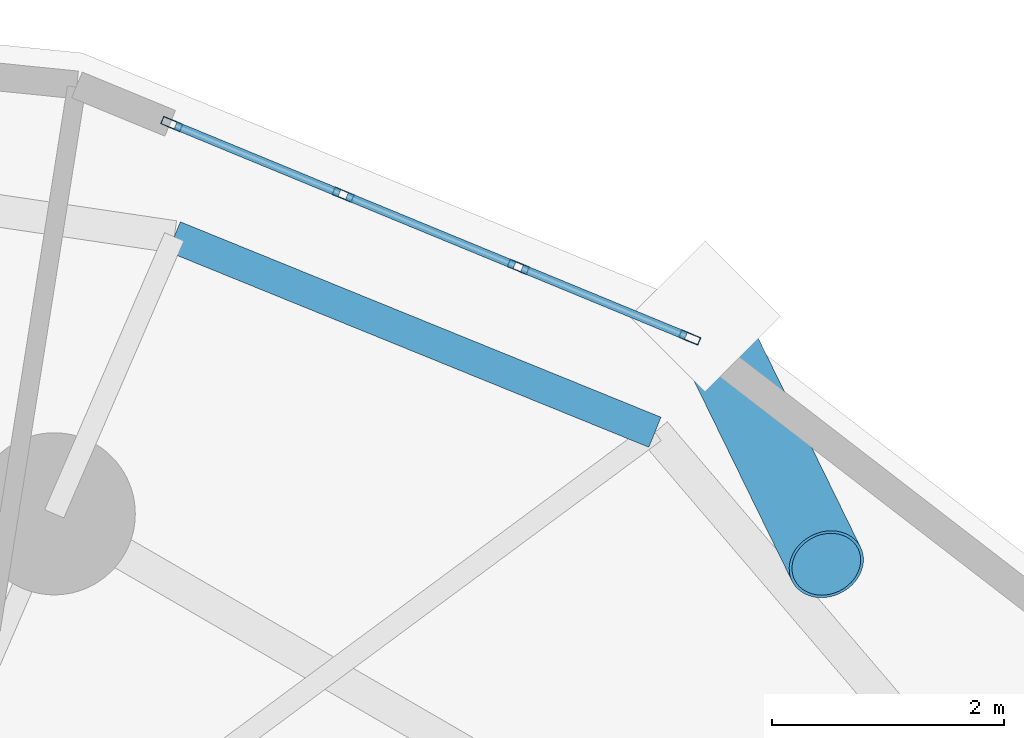
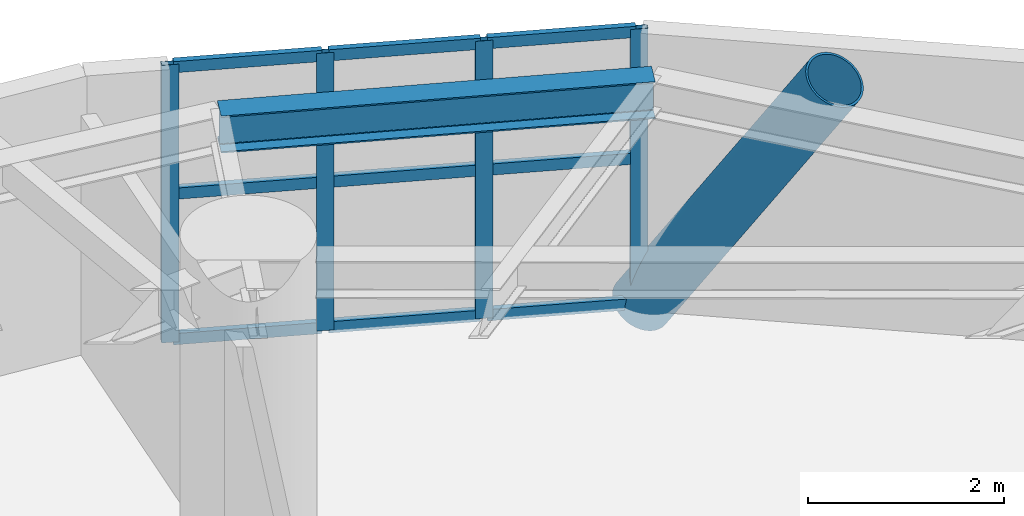
# One storey, part 10 of 20: 14 members, 1 beam, 1 element without a shape of its own.
"""IFC4 building model written with IfcOpenShell, lengths in metres."""

import ifcopenshell
import ifcopenshell.guid

model = None  # the IFC model being written
_history = None  # IfcOwnerHistory: only IFC2X3 demands one
_inside = {}  # id of a spatial element -> (the spatial element, [elements in it])
_under = {}  # id of a project, library or spatial element -> (it, [spatial elements below it])
_declared = {}  # id of a project -> (the project, [libraries it declares])
_typed = {}  # id of a type object -> (the type object, [elements of that type])
_made_of = {}  # id of a material, layer set ... -> (it, [elements and type objects made of it])


def new_model(schema):
    """Start an empty IFC model of exactly this schema.

    Asked for "IFC4X3", IfcOpenShell would pick the latest addendum, in which some entities
    have other attributes; the version numbers below select the first issue.
    IFC2X3 requires an IfcOwnerHistory on every rooted entity: one is made here for all.
    """
    global model, _history
    if schema == "IFC4X3":
        model = ifcopenshell.file(schema_version=(4, 3, 0, 0))
    else:
        model = ifcopenshell.file(schema=schema)
    _inside.clear()
    _under.clear()
    _declared.clear()
    _typed.clear()
    _made_of.clear()
    _history = None
    if model.schema == "IFC2X3":
        org = make("IfcOrganization", Name="unknown")
        user = make(
            "IfcPersonAndOrganization",
            ThePerson=make("IfcPerson", FamilyName="unknown"),
            TheOrganization=org,
        )
        app = make(
            "IfcApplication",
            ApplicationDeveloper=org,
            Version="unknown",
            ApplicationFullName="unknown",
            ApplicationIdentifier="unknown",
        )
        _history = make(
            "IfcOwnerHistory",
            OwningUser=user,
            OwningApplication=app,
            ChangeAction="ADDED",
            CreationDate=0,
        )
    return model


def make(cls, **values):
    """One entity of the class cls with the attributes given. An attribute that is None is left unset."""
    return model.create_entity(
        cls, **{name: value for name, value in values.items() if value is not None}
    )


def rooted(cls, **values):
    """An entity with a GlobalId (a new one), such as an element, a storey or a relation."""
    return make(cls, GlobalId=ifcopenshell.guid.new(), OwnerHistory=_history, **values)


def si_unit(unit_type, name, prefix=None):
    """IfcSIUnit, for example si_unit("LENGTHUNIT", "METRE", prefix="MILLI")."""
    return make("IfcSIUnit", UnitType=unit_type, Prefix=prefix, Name=name)


def assignment(units):
    """IfcUnitAssignment: the units of a project."""
    return None if units is None else make("IfcUnitAssignment", Units=units)


def point(xyz):
    """IfcCartesianPoint."""
    return None if xyz is None else make("IfcCartesianPoint", Coordinates=xyz)


def direction(xyz):
    """IfcDirection."""
    return None if xyz is None else make("IfcDirection", DirectionRatios=xyz)


def frame(location, z_axis=None, x_axis=None):
    """IfcAxis2Placement3D, a coordinate frame: its origin and axes. An axis left out is left unset."""
    return make(
        "IfcAxis2Placement3D",
        Location=point(location),
        Axis=direction(z_axis),
        RefDirection=direction(x_axis),
    )


def frame_2d(location, x_axis=None):
    """IfcAxis2Placement2D, a coordinate frame in the plane: its origin and x axis."""
    return make(
        "IfcAxis2Placement2D", Location=point(location), RefDirection=direction(x_axis)
    )


def origin():
    """The frame at (0, 0, 0) with its axes left unset."""
    return frame((0.0, 0.0, 0.0))


def origin_2d():
    """The frame at (0, 0) in the plane with its x axis left unset."""
    return frame_2d((0.0, 0.0))


def place(relative_to, where):
    """IfcLocalPlacement: puts the frame where relative to a parent placement (None: the world)."""
    return make(
        "IfcLocalPlacement", PlacementRelTo=relative_to, RelativePlacement=where
    )


def context(
    kind, dimensions, precision=None, world=None, true_north=None, identifier=None
):
    """IfcGeometricRepresentationContext, for example the 3D "Model" context."""
    return make(
        "IfcGeometricRepresentationContext",
        ContextIdentifier=identifier,
        ContextType=kind,
        CoordinateSpaceDimension=dimensions,
        Precision=precision,
        WorldCoordinateSystem=world,
        TrueNorth=true_north,
    )


def subcontext(parent, identifier, kind, view, scale=None):
    """IfcGeometricRepresentationSubContext, for example "Body" below "Model"."""
    return make(
        "IfcGeometricRepresentationSubContext",
        ContextIdentifier=identifier,
        ContextType=kind,
        ParentContext=parent,
        TargetScale=scale,
        TargetView=view,
    )


def project(units=None, contexts=None):
    """IfcProject with its units and contexts."""
    return rooted(
        "IfcProject",
        Name="project",
        RepresentationContexts=contexts,
        UnitsInContext=assignment(units),
    )


def spatial(cls, under=None, at=None, **own):
    """A site, building, storey or space (cls), placed at a placement, below another one or the project."""
    s = rooted(cls, ObjectPlacement=at, **own)
    if under is not None:
        _under.setdefault(under.id(), (under, []))[1].append(s)
    return s


def profile(cls, at=None, kind="AREA", **sizes):
    """A parametric profile (cls). Its sizes go by their IFC names, for example OverallWidth=200.0."""
    return make(cls, ProfileType=kind, Position=at, **sizes)


def hollow_rectangle(**sizes):
    """IfcRectangleHollowProfileDef."""
    return profile("IfcRectangleHollowProfileDef", **sizes)


def hollow_circle(**sizes):
    """IfcCircleHollowProfileDef."""
    return profile("IfcCircleHollowProfileDef", **sizes)


def i_section(**sizes):
    """IfcIShapeProfileDef."""
    return profile("IfcIShapeProfileDef", **sizes)


def extrude(swept, where, along, depth):
    """IfcExtrudedAreaSolid: the profile swept, set in the frame where, extruded along a direction by depth."""
    return make(
        "IfcExtrudedAreaSolid",
        SweptArea=swept,
        Position=where,
        ExtrudedDirection=direction(along),
        Depth=depth,
    )


def shape(context_of_items, identifier, shape_type, items):
    """IfcShapeRepresentation: the items that make up one representation, for example the "Body"."""
    return make(
        "IfcShapeRepresentation",
        ContextOfItems=context_of_items,
        RepresentationIdentifier=identifier,
        RepresentationType=shape_type,
        Items=items,
    )


def material(Name=None, Category=None):
    """IfcMaterial."""
    return make("IfcMaterial", Name=Name, Category=Category)


def layer(
    of_material, thickness, ventilated=None, Name=None, Category=None, Priority=None
):
    """IfcMaterialLayer: one layer of a wall or slab, of a material (None: an air gap)."""
    return make(
        "IfcMaterialLayer",
        Material=of_material,
        LayerThickness=thickness,
        IsVentilated=ventilated,
        Name=Name,
        Category=Category,
        Priority=Priority,
    )


def layer_set(layers, Name=None):
    """IfcMaterialLayerSet."""
    return make("IfcMaterialLayerSet", MaterialLayers=layers, LayerSetName=Name)


def material_profile(
    of_material, cross_section, Name=None, Category=None, Priority=None
):
    """IfcMaterialProfile: a cross section and its material."""
    return make(
        "IfcMaterialProfile",
        Name=Name,
        Material=of_material,
        Profile=cross_section,
        Priority=Priority,
        Category=Category,
    )


def profile_set(profiles, Name=None, composite=None):
    """IfcMaterialProfileSet."""
    return make(
        "IfcMaterialProfileSet",
        Name=Name,
        MaterialProfiles=profiles,
        CompositeProfile=composite,
    )


def made_of(thing, what):
    """Note that an element or type object is made of a material, layer set ...; save() writes the relation."""
    if what is not None:
        _made_of.setdefault(what.id(), (what, []))[1].append(thing)
    return thing


def type_object(cls, material=None, **own):
    """A type object (cls), such as IfcWallType, which elements share."""
    return made_of(rooted(cls, **own), material)


def element(
    cls,
    number,
    at=None,
    inside=None,
    cuts=None,
    type_object=None,
    material=None,
    context=None,
    identifier="Body",
    shape_type=None,
    held_by="IfcProductDefinitionShape",
    body=None,
    shapes=None,
    **own,
):
    """One element of the class cls, such as IfcWall. Its Tag is "e" and its number.

    at: its placement. inside: the storey or other place that contains it. cuts: it is an
    opening in that element (IfcRelVoidsElement). A single representation is given by context,
    identifier, shape_type and body (its items); several are given by shapes. held_by: the class
    of the entity that holds the representations. save() writes the other relations.
    """
    e = rooted(cls, Tag="e%d" % number, ObjectPlacement=at, **own)
    if body is not None:
        shapes = [shape(context, identifier, shape_type, body)]
    if shapes is not None:
        e.Representation = make(held_by, Representations=shapes)
    if inside is not None:
        _inside.setdefault(inside.id(), (inside, []))[1].append(e)
    if cuts is not None:
        rooted(
            "IfcRelVoidsElement", RelatingBuildingElement=cuts, RelatedOpeningElement=e
        )
    if type_object is not None:
        _typed.setdefault(type_object.id(), (type_object, []))[1].append(e)
    return made_of(e, material)


def aggregate(whole, parts):
    """IfcRelAggregates: a whole, such as a stair, and the parts it consists of."""
    return rooted("IfcRelAggregates", RelatingObject=whole, RelatedObjects=parts)


def save(model, path):
    """Write the relations noted so far, then the file.

    IfcRelAggregates (storeys below a building ...), IfcRelContainedInSpatialStructure (elements
    in a storey), IfcRelDefinesByType, IfcRelAssociatesMaterial and IfcRelDeclares: one each for
    every whole, place, type object, material and project.
    """
    for whole, parts in _under.values():
        aggregate(whole, parts)
    for where, things in _inside.values():
        rooted(
            "IfcRelContainedInSpatialStructure",
            RelatedElements=things,
            RelatingStructure=where,
        )
    for kind, things in _typed.values():
        rooted("IfcRelDefinesByType", RelatedObjects=things, RelatingType=kind)
    for what, things in _made_of.values():
        rooted("IfcRelAssociatesMaterial", RelatedObjects=things, RelatingMaterial=what)
    for by, libraries in _declared.values():
        rooted("IfcRelDeclares", RelatingContext=by, RelatedDefinitions=libraries)
    model.write(path)


model = new_model("IFC4")

# Units and contexts
model_context = context("Model", 3, precision=1e-05, world=origin(), true_north=direction((0.0, 1.0)))
body_context = subcontext(model_context, "Body", "Model", "MODEL_VIEW")
ifc_project = project(units=[si_unit("LENGTHUNIT", "METRE"), si_unit("AREAUNIT", "SQUARE_METRE"), si_unit("VOLUMEUNIT", "CUBIC_METRE"), si_unit("PLANEANGLEUNIT", "RADIAN"), si_unit("MASSUNIT", "GRAM", prefix="KILO")], contexts=[model_context])

# Site, building, storey
site_placement = place(None, origin())
site = spatial("IfcSite", under=ifc_project, at=site_placement, CompositionType="ELEMENT")
building_placement = place(site_placement, origin())
building = spatial("IfcBuilding", under=site, at=building_placement, Name="Cununo Teusaquillo Station Towers", CompositionType="ELEMENT")
storey_placement = place(building_placement, frame((0.0, 0.0, 140.320068359375)))
storey = spatial("IfcBuildingStorey", under=building, at=storey_placement, Name="L44", CompositionType="ELEMENT", Elevation=140.320068359375)

# Beam
ifc_material_1 = material(Name="Steel ASTM A572 Grade 50", Category="steel")
ifc_material_profile_1 = material_profile(ifc_material_1, i_section(OverallWidth=0.280029296875, OverallDepth=0.462890625, WebThickness=0.0107421875, FlangeThickness=0.017333984375, FilletRadius=0.013916015625, at=origin_2d()), Name="W18X76")
ifc_profile_set_1 = profile_set([ifc_material_profile_1], Name="Steel ASTM A572 Grade 50")
beam_type = type_object("IfcBeamType", Name="BM-RING-Z2", PredefinedType="SPANDREL", material=ifc_profile_set_1)
beam_placement = place(storey_placement, frame((63.478271484375, 38.340087890625, 3.24853515625), z_axis=(-0.926380466449, 0.376588942192, 0.0), x_axis=(-0.376588942192, -0.926380466449, 0.0)))
element("IfcBeam", 1, at=beam_placement, inside=storey, type_object=beam_type, Name="L44 Tower B Spandrel Ring Beam 02", PredefinedType="SPANDREL", context=body_context, shape_type="SweptSolid", body=[
    extrude(i_section(OverallWidth=0.280029296875, OverallDepth=0.462890625, WebThickness=0.0107421875, FlangeThickness=0.017333984375, FilletRadius=0.013916015625, at=origin_2d()), origin(), (0.0, 0.0, 1.0), 4.48095703125),
])

# Curtain wall, members
ifc_material_2 = material(Name="Ceramic-fritted dark low-E double glazing", Category="glass")
ifc_layer = layer(ifc_material_2, 0.179931640625)
ifc_layer_set = layer_set([ifc_layer], Name="Ceramic-fritted dark low-E double glazing")
curtain_wall_type = type_object("IfcCurtainWallType", Name="CW-SYS-04", PredefinedType="USERDEFINED", material=ifc_layer_set)
curtain_wall_placement = place(storey_placement, origin())
curtain_wall = element("IfcCurtainWall", 2, at=curtain_wall_placement, inside=storey, type_object=curtain_wall_type, Name="L44 Tower B Facade Curtain Wall C01", ObjectType="FRITTED GLAZING", PredefinedType="USERDEFINED")
ifc_material_3 = material(Name="Anodised dark bronze aluminium EN AW-6063-T6", Category="aluminium")
ifc_material_profile_2 = material_profile(ifc_material_3, hollow_rectangle(XDim=0.070068359375, YDim=0.179931640625, WallThickness=0.00390625, at=origin_2d()), Name="CW-MULL-70x180")
ifc_profile_set_2 = profile_set([ifc_material_profile_2], Name="Anodised dark bronze aluminium EN AW-6063-T6")
member_type_1 = type_object("IfcMemberType", Name="CWM-180", PredefinedType="MULLION", material=ifc_profile_set_2)
member_1_placement = place(storey_placement, frame((59.3056640625, 41.001953125, 0.0), z_axis=(0.0, 0.0, 1.0), x_axis=(0.381030560176, 0.924562443652, 0.0)))
member_1 = element("IfcMember", 3, at=member_1_placement, type_object=member_type_1, Name="CW-04 mullion 1", PredefinedType="MULLION", context=body_context, shape_type="SweptSolid", body=[
    extrude(hollow_rectangle(XDim=0.070068359375, YDim=0.179931640625, WallThickness=0.00390625, at=origin_2d()), origin(), (0.0, 0.0, 1.0), 3.46484375),
])
member_2_placement = place(storey_placement, frame((60.785888671875, 40.39208984375, 0.0), z_axis=(0.0, 0.0, 1.0), x_axis=(0.381030560176, 0.924562443652, 0.0)))
member_2 = element("IfcMember", 4, at=member_2_placement, type_object=member_type_1, Name="CW-04 mullion 2", PredefinedType="MULLION", context=body_context, shape_type="SweptSolid", body=[
    extrude(hollow_rectangle(XDim=0.070068359375, YDim=0.179931640625, WallThickness=0.00390625, at=origin_2d()), origin(), (0.0, 0.0, 1.0), 3.46484375),
])
member_3_placement = place(storey_placement, frame((62.298583984375, 39.7685546875, 0.0), z_axis=(0.0, 0.0, 1.0), x_axis=(0.381030560176, 0.924562443652, 0.0)))
member_3 = element("IfcMember", 5, at=member_3_placement, type_object=member_type_1, Name="CW-04 mullion 3", PredefinedType="MULLION", context=body_context, shape_type="SweptSolid", body=[
    extrude(hollow_rectangle(XDim=0.070068359375, YDim=0.179931640625, WallThickness=0.00390625, at=origin_2d()), origin(), (0.0, 0.0, 1.0), 3.46484375),
])
member_4_placement = place(storey_placement, frame((63.77880859375, 39.158447265625, 0.0), z_axis=(0.0, 0.0, 1.0), x_axis=(0.381030560176, 0.924562443652, 0.0)))
member_4 = element("IfcMember", 6, at=member_4_placement, type_object=member_type_1, Name="CW-04 mullion 4", PredefinedType="MULLION", context=body_context, shape_type="SweptSolid", body=[
    extrude(hollow_rectangle(XDim=0.070068359375, YDim=0.179931640625, WallThickness=0.00390625, at=origin_2d()), origin(), (0.0, 0.0, 1.0), 3.46484375),
])
ifc_material_4 = material(Name="Anodised dark bronze aluminium EN AW-6063-T6", Category="aluminium")
ifc_material_profile_3 = material_profile(ifc_material_4, hollow_rectangle(XDim=0.070068359375, YDim=0.139892578125, WallThickness=0.00390625, at=origin_2d()), Name="CW-TRAN-70x140")
ifc_profile_set_3 = profile_set([ifc_material_profile_3], Name="Anodised dark bronze aluminium EN AW-6063-T6")
member_type_2 = type_object("IfcMemberType", Name="CWT-140", PredefinedType="USERDEFINED", material=ifc_profile_set_3)
member_5_placement = place(storey_placement, frame((59.337890625, 40.98876953125, 0.034912109375), z_axis=(0.924532726965, -0.381102659097, 0.0), x_axis=(0.381102659097, 0.924532726965, 0.0)))
member_5 = element("IfcMember", 7, at=member_5_placement, type_object=member_type_2, Name="CW-04 transom 1.1", ObjectType="TRANSOM", PredefinedType="USERDEFINED", context=body_context, shape_type="SweptSolid", body=[
    extrude(hollow_rectangle(XDim=0.070068359375, YDim=0.139892578125, WallThickness=0.00390625, at=origin_2d()), origin(), (0.0, 0.0, 1.0), 1.531005859375),
])
member_6_placement = place(storey_placement, frame((59.337890625, 40.98876953125, 1.849853515625), z_axis=(0.924532726965, -0.381102659097, 0.0), x_axis=(0.381102659097, 0.924532726965, 0.0)))
member_6 = element("IfcMember", 8, at=member_6_placement, type_object=member_type_2, Name="CW-04 transom 1.2", ObjectType="TRANSOM", PredefinedType="USERDEFINED", context=body_context, shape_type="SweptSolid", body=[
    extrude(hollow_rectangle(XDim=0.070068359375, YDim=0.139892578125, WallThickness=0.00390625, at=origin_2d()), origin(), (0.0, 0.0, 1.0), 1.531005859375),
])
member_7_placement = place(storey_placement, frame((59.337890625, 40.98876953125, 3.429931640625), z_axis=(0.924532726965, -0.381102659097, 0.0), x_axis=(0.381102659097, 0.924532726965, 0.0)))
member_7 = element("IfcMember", 9, at=member_7_placement, type_object=member_type_2, Name="CW-04 transom 1.3", ObjectType="TRANSOM", PredefinedType="USERDEFINED", context=body_context, shape_type="SweptSolid", body=[
    extrude(hollow_rectangle(XDim=0.070068359375, YDim=0.139892578125, WallThickness=0.00390625, at=origin_2d()), origin(), (0.0, 0.0, 1.0), 1.531005859375),
])
member_8_placement = place(storey_placement, frame((60.818115234375, 40.378662109375, 0.034912109375), z_axis=(0.924577983912, -0.380992849887, 0.0), x_axis=(0.380992849887, 0.924577983912, 0.0)))
member_8 = element("IfcMember", 10, at=member_8_placement, type_object=member_type_2, Name="CW-04 transom 2.1", ObjectType="TRANSOM", PredefinedType="USERDEFINED", context=body_context, shape_type="SweptSolid", body=[
    extrude(hollow_rectangle(XDim=0.070068359375, YDim=0.139892578125, WallThickness=0.00390625, at=origin_2d()), origin(), (0.0, 0.0, 1.0), 1.566162109375),
])
member_9_placement = place(storey_placement, frame((60.818115234375, 40.378662109375, 1.849853515625), z_axis=(0.924577983912, -0.380992849887, 0.0), x_axis=(0.380992849887, 0.924577983912, 0.0)))
member_9 = element("IfcMember", 11, at=member_9_placement, type_object=member_type_2, Name="CW-04 transom 2.2", ObjectType="TRANSOM", PredefinedType="USERDEFINED", context=body_context, shape_type="SweptSolid", body=[
    extrude(hollow_rectangle(XDim=0.070068359375, YDim=0.139892578125, WallThickness=0.00390625, at=origin_2d()), origin(), (0.0, 0.0, 1.0), 1.566162109375),
])
member_10_placement = place(storey_placement, frame((60.818115234375, 40.378662109375, 3.429931640625), z_axis=(0.924577983912, -0.380992849887, 0.0), x_axis=(0.380992849887, 0.924577983912, 0.0)))
member_10 = element("IfcMember", 12, at=member_10_placement, type_object=member_type_2, Name="CW-04 transom 2.3", ObjectType="TRANSOM", PredefinedType="USERDEFINED", context=body_context, shape_type="SweptSolid", body=[
    extrude(hollow_rectangle(XDim=0.070068359375, YDim=0.139892578125, WallThickness=0.00390625, at=origin_2d()), origin(), (0.0, 0.0, 1.0), 1.566162109375),
])
member_11_placement = place(storey_placement, frame((62.330810546875, 39.75537109375, 0.034912109375), z_axis=(0.924555881283, -0.381046483233, 0.0), x_axis=(0.381046483233, 0.924555881283, 0.0)))
member_11 = element("IfcMember", 13, at=member_11_placement, type_object=member_type_2, Name="CW-04 transom 3.1", ObjectType="TRANSOM", PredefinedType="USERDEFINED", context=body_context, shape_type="SweptSolid", body=[
    extrude(hollow_rectangle(XDim=0.070068359375, YDim=0.139892578125, WallThickness=0.00390625, at=origin_2d()), origin(), (0.0, 0.0, 1.0), 1.53125),
])
member_12_placement = place(storey_placement, frame((62.330810546875, 39.75537109375, 1.849853515625), z_axis=(0.924555881283, -0.381046483233, 0.0), x_axis=(0.381046483233, 0.924555881283, 0.0)))
member_12 = element("IfcMember", 14, at=member_12_placement, type_object=member_type_2, Name="CW-04 transom 3.2", ObjectType="TRANSOM", PredefinedType="USERDEFINED", context=body_context, shape_type="SweptSolid", body=[
    extrude(hollow_rectangle(XDim=0.070068359375, YDim=0.139892578125, WallThickness=0.00390625, at=origin_2d()), origin(), (0.0, 0.0, 1.0), 1.53125),
])
member_13_placement = place(storey_placement, frame((62.330810546875, 39.75537109375, 3.429931640625), z_axis=(0.924555881283, -0.381046483233, 0.0), x_axis=(0.381046483233, 0.924555881283, 0.0)))
member_13 = element("IfcMember", 15, at=member_13_placement, type_object=member_type_2, Name="CW-04 transom 3.3", ObjectType="TRANSOM", PredefinedType="USERDEFINED", context=body_context, shape_type="SweptSolid", body=[
    extrude(hollow_rectangle(XDim=0.070068359375, YDim=0.139892578125, WallThickness=0.00390625, at=origin_2d()), origin(), (0.0, 0.0, 1.0), 1.53125),
])
aggregate(curtain_wall, [member_1, member_2, member_3, member_4, member_5, member_6, member_7, member_8, member_9, member_10, member_11, member_12, member_13])

# Member
ifc_material_5 = material(Name="Steel EN 10025-2 S355J2", Category="steel")
ifc_material_profile_4 = material_profile(ifc_material_5, hollow_circle(Radius=0.330078125, WallThickness=0.02490234375, at=origin_2d()), Name="CHS 660x25")
ifc_profile_set_4 = profile_set([ifc_material_profile_4], Name="Steel EN 10025-2 S355J2")
member_type_3 = type_object("IfcMemberType", Name="MBR-DIAG-Z2", PredefinedType="BRACE", material=ifc_profile_set_4)
member_14_placement = place(storey_placement, frame((63.9111328125, 39.341064453125, -0.14013671875), z_axis=(0.237062467233, -0.484624204576, 0.84198620355), x_axis=(0.89828554443, 0.439412199043, 0.0)))
element("IfcMember", 16, at=member_14_placement, inside=storey, type_object=member_type_3, Name="L44 Tower B Folded-Zigzag Diagrid Tube C00", PredefinedType="BRACE", context=body_context, shape_type="SweptSolid", body=[
    extrude(hollow_circle(Radius=0.330078125, WallThickness=0.02490234375, at=origin_2d()), origin(), (0.0, 0.0, 1.0), 4.41796875),
])

save(model, "model.ifc")
